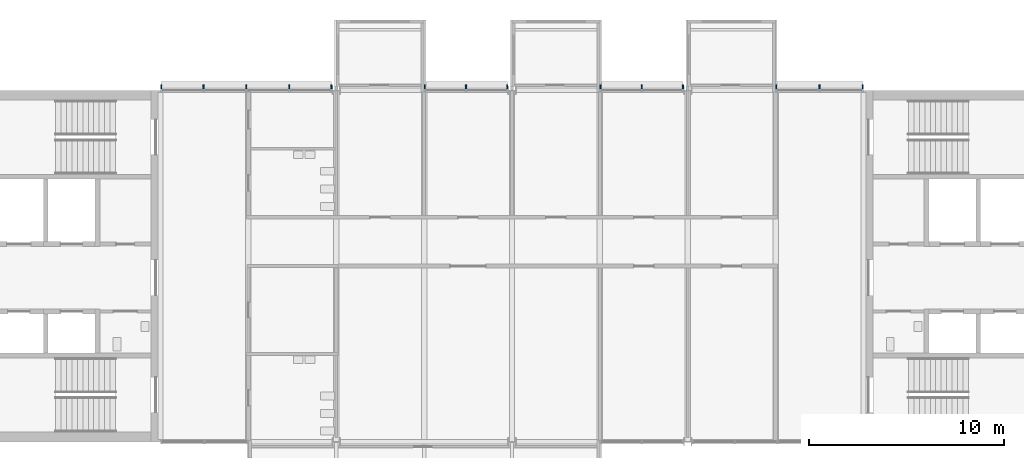
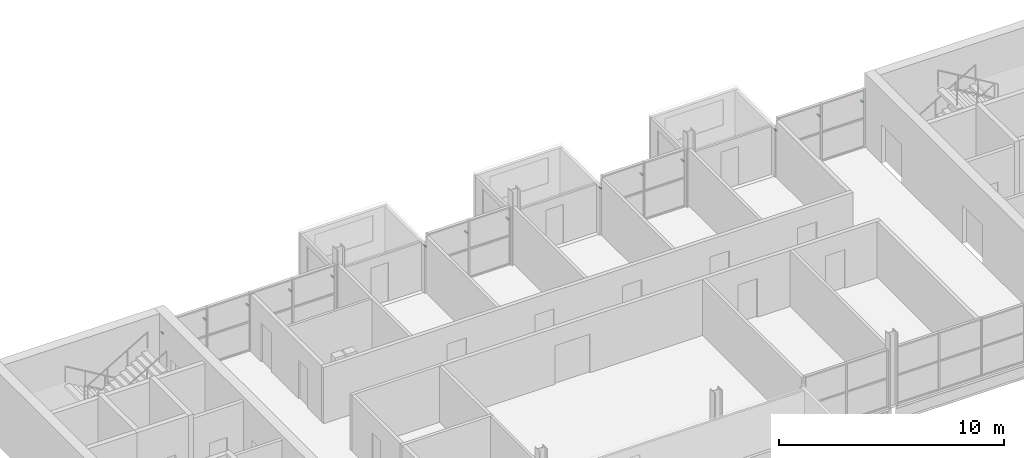
# One storey, part 9 of 11: 14 discrete accessories.
"""IFC4 building model written with IfcOpenShell, lengths in metres."""

from ifc_helpers import new_model, si_unit, direction, frame, origin, origin_2d, place, context, subcontext, project, spatial, rectangle, extrude, material, type_object, element, save


model = new_model("IFC4")

# Units and contexts
model_context = context("Model", 3, precision=1e-05, world=origin(), true_north=direction((0.0, 1.0)))
body_context = subcontext(model_context, "Body", "Model", "MODEL_VIEW")
ifc_project = project(units=[si_unit("LENGTHUNIT", "METRE"), si_unit("AREAUNIT", "SQUARE_METRE"), si_unit("VOLUMEUNIT", "CUBIC_METRE"), si_unit("PLANEANGLEUNIT", "RADIAN"), si_unit("MASSUNIT", "GRAM", prefix="KILO")], contexts=[model_context])

# Site, building, storey
site_placement = place(None, origin())
site = spatial("IfcSite", under=ifc_project, at=site_placement, CompositionType="ELEMENT")
building_placement = place(site_placement, origin())
building = spatial("IfcBuilding", under=site, at=building_placement, Name="Corbel Yard City Hall", CompositionType="ELEMENT")
storey_placement = place(building_placement, frame((0.0, 0.0, 35.199951171875)))
storey = spatial("IfcBuildingStorey", under=building, at=storey_placement, Name="L08", CompositionType="ELEMENT", Elevation=35.199951171875)

# Discrete accessories
ifc_material = material(Name="Steel Grade 300 (300 MPa yield)", Category="steel")
discrete_accessory_type = type_object("IfcDiscreteAccessoryType", Name="BK1", PredefinedType="BRACKET", material=ifc_material)
for number, where, z_axis, x_axis, name in (
    (1, (9.032470703125, 117.18994140625, 2.33251953125), (0.0, 0.0, 1.0), (1.0, 0.0, 0.0), "Louvre bracket"),
    (2, (11.1982421875, 117.18994140625, 2.33251953125), (0.0, 0.0, 1.0), (1.0, 0.0, 0.0), "Louvre bracket"),
    (3, (13.396484375, 117.18994140625, 2.33251953125), (0.0, 0.0, 1.0), (1.0, 0.0, 0.0), "Louvre bracket"),
    (4, (15.5947265625, 117.18994140625, 2.33251953125), (0.0, 0.0, 1.0), (1.0, 0.0, 0.0), "Louvre bracket"),
    (5, (17.760498046875, 117.18994140625, 2.33251953125), (0.0, 0.0, 1.0), (1.0, 0.0, 0.0), "Louvre bracket"),
    (6, (22.532470703125, 117.18994140625, 2.33251953125), (0.0, 0.0, 1.0), (1.0, 0.0, 0.0), "Louvre bracket"),
    (7, (24.646484375, 117.18994140625, 2.33251953125), (0.0, 0.0, 1.0), (1.0, 0.0, 0.0), "Louvre bracket"),
    (8, (26.760498046875, 117.18994140625, 2.33251953125), (0.0, 0.0, 1.0), (1.0, 0.0, 0.0), "Louvre bracket"),
    (9, (31.532470703125, 117.18994140625, 2.33251953125), (0.0, 0.0, 1.0), (1.0, 0.0, 0.0), "Louvre bracket"),
    (10, (33.646484375, 117.18994140625, 2.33251953125), (0.0, 0.0, 1.0), (1.0, 0.0, 0.0), "Louvre bracket"),
    (11, (35.760498046875, 117.18994140625, 2.33251953125), (0.0, 0.0, 1.0), (1.0, 0.0, 0.0), "Louvre bracket"),
    (12, (40.532470703125, 117.18994140625, 2.33251953125), (0.0, 0.0, 1.0), (1.0, 0.0, 0.0), "Louvre bracket"),
    (13, (42.75, 117.18994140625, 2.33251953125), (0.0, 0.0, 1.0), (1.0, 0.0, 0.0), "Louvre bracket"),
    (14, (44.967529296875, 117.18994140625, 2.33251953125), (0.0, 0.0, 1.0), (1.0, 0.0, 0.0), "Louvre bracket"),
):
    element("IfcDiscreteAccessory", number, at=place(storey_placement, frame(where, z_axis=z_axis, x_axis=x_axis)), inside=storey, type_object=discrete_accessory_type, Name=name, PredefinedType="BRACKET", context=body_context, shape_type="SweptSolid", body=[
        extrude(rectangle(XDim=0.06005859375, YDim=0.199951171875, at=origin_2d()), origin(), (0.0, 0.0, 1.0), 0.06005859375),
    ])

save(model, "model.ifc")
